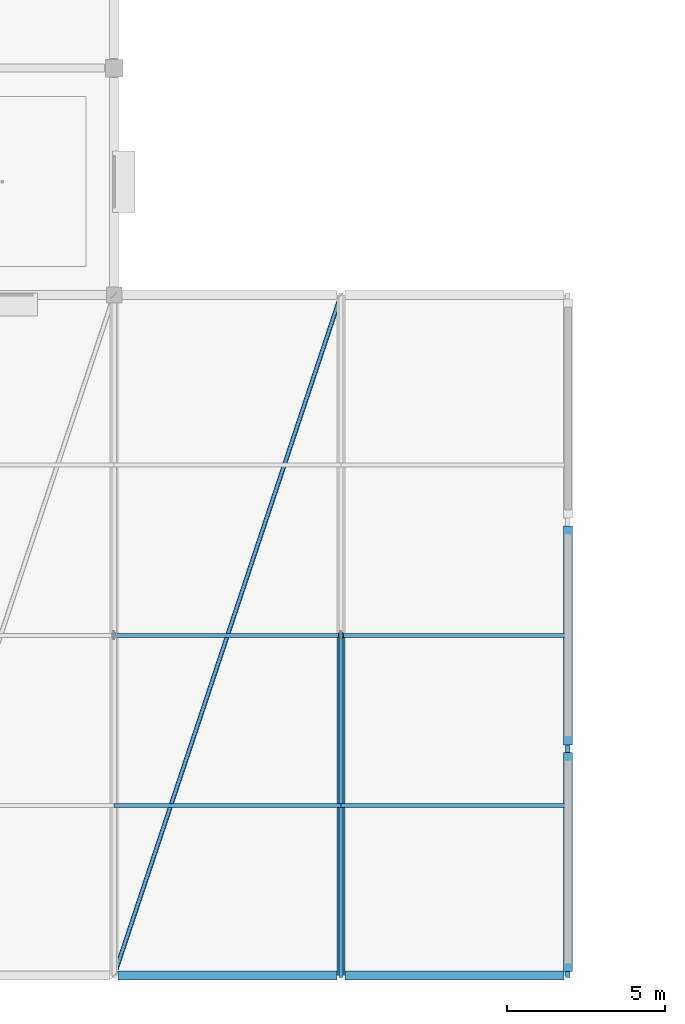
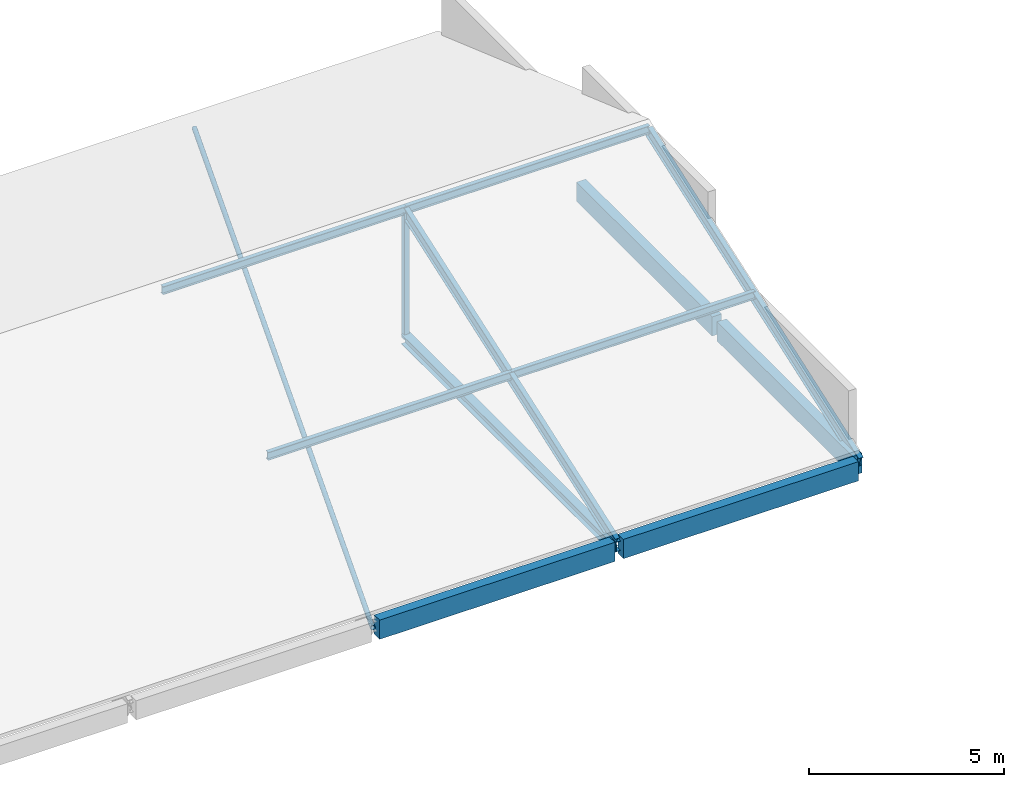
# One storey, part 4 of 108: 9 members, 4 beams.
"""IFC4 building model written with IfcOpenShell, lengths in metres."""

from ifc_helpers import new_model, si_unit, direction, frame, origin, origin_2d, place, context, subcontext, project, spatial, rectangle, hollow_rectangle, hollow_circle, i_section, extrude, material, material_profile, profile_set, type_object, element, save


model = new_model("IFC4")

# Units and contexts
model_context = context("Model", 3, precision=1e-05, world=origin(), true_north=direction((0.0, 1.0)))
body_context = subcontext(model_context, "Body", "Model", "MODEL_VIEW")
ifc_project = project(units=[si_unit("LENGTHUNIT", "METRE"), si_unit("AREAUNIT", "SQUARE_METRE"), si_unit("VOLUMEUNIT", "CUBIC_METRE"), si_unit("PLANEANGLEUNIT", "RADIAN"), si_unit("MASSUNIT", "GRAM", prefix="KILO")], contexts=[model_context])

# Site, building, storey
site_placement = place(None, origin())
site = spatial("IfcSite", under=ifc_project, at=site_placement, CompositionType="ELEMENT")
building_placement = place(site_placement, origin())
building = spatial("IfcBuilding", under=site, at=building_placement, Name="Kangsadwip Square Police Headquarters", CompositionType="ELEMENT")
storey_placement = place(building_placement, frame((0.0, 0.0, 9.449951171875)))
storey = spatial("IfcBuildingStorey", under=building, at=storey_placement, Name="L02", CompositionType="ELEMENT", Elevation=9.449951171875)

# Members
ifc_material_1 = material(Name="Structural steel IS 2062 E350 (Grade 350, 350 MPa)", Category="steel")
ifc_material_profile_1 = material_profile(ifc_material_1, i_section(OverallWidth=0.139892578125, OverallDepth=0.35009765625, WebThickness=0.008056640625, FlangeThickness=0.01416015625, at=origin_2d()), Name="ISMB 350")
ifc_profile_set_1 = profile_set([ifc_material_profile_1], Name="Structural steel IS 2062 E350 (Grade 350, 350 MPa)")
member_type_1 = type_object("IfcMemberType", Name="PavilionRafterIsmb350", PredefinedType="RAFTER", material=ifc_profile_set_1)
for number, where, z_axis, x_axis, name in (
    (1, (21.60009765625, 0.0, -0.3798828125), (0.0, 0.943311525379, 0.331908671305), (-1.0, 0.0, 0.0), "Truss Member MEM-L02-0252"),
    (2, (28.800048828125, 0.0, -0.3798828125), (0.0, 0.943311525379, 0.331908671305), (-1.0, 0.0, 0.0), "Truss Member MEM-L02-0254"),
):
    element("IfcMember", number, at=place(storey_placement, frame(where, z_axis=z_axis, x_axis=x_axis)), inside=storey, type_object=member_type_1, Name=name, PredefinedType="RAFTER", context=body_context, shape_type="SweptSolid", body=[
        extrude(i_section(OverallWidth=0.139892578125, OverallDepth=0.35009765625, WebThickness=0.008056640625, FlangeThickness=0.01416015625, at=origin_2d()), origin(), (0.0, 0.0, 1.0), 11.448974609375),
    ])

# Beams
ifc_material_2 = material(Name="Concrete M40 (40 MPa)", Category="concrete")
ifc_material_profile_2 = material_profile(ifc_material_2, rectangle(XDim=0.280029296875, YDim=0.60009765625, at=origin_2d()), Name="RC SPN 600X280")
ifc_profile_set_2 = profile_set([ifc_material_profile_2], Name="Concrete M40 (40 MPa)")
beam_type = type_object("IfcBeamType", Name="RcSpandrel600x280", PredefinedType="SPANDREL", material=ifc_profile_set_2)
beam_placement = place(storey_placement, frame((14.52490234375, 0.0, -0.5400390625), z_axis=(1.0, 0.0, 0.0), x_axis=(0.0, 1.0, 0.0)))
element("IfcBeam", 3, at=beam_placement, inside=storey, type_object=beam_type, Name="Beam BM-L02-X-02-00", PredefinedType="SPANDREL", context=body_context, shape_type="SweptSolid", body=[
    extrude(rectangle(XDim=0.280029296875, YDim=0.60009765625, at=origin_2d()), origin(), (0.0, 0.0, 1.0), 6.9501953125),
])
for number, where, z_axis, x_axis, name in (
    (4, (21.72509765625, 0.0, -0.5400390625), (1.0, 0.0, 0.0), (0.0, 1.0, 0.0), "Beam BM-L02-X-03-00"),
    (5, (28.800048828125, 0.125, -0.5400390625), (0.0, 1.0, 0.0), (-1.0, 0.0, 0.0), "Beam BM-L02-Y-04-00"),
    (6, (28.800048828125, 7.324951171875, -0.5400390625), (0.0, 1.0, 0.0), (-1.0, 0.0, 0.0), "Beam BM-L02-Y-04-01"),
):
    element("IfcBeam", number, at=place(storey_placement, frame(where, z_axis=z_axis, x_axis=x_axis)), inside=storey, type_object=beam_type, Name=name, PredefinedType="SPANDREL", context=body_context, shape_type="SweptSolid", body=[
        extrude(rectangle(XDim=0.280029296875, YDim=0.60009765625, at=origin_2d()), origin(), (0.0, 0.0, 1.0), 6.949951171875),
    ])

# Members
ifc_material_3 = material(Name="Structural steel IS 2062 E350 (Grade 350, 350 MPa)", Category="steel")
ifc_material_profile_3 = material_profile(ifc_material_3, i_section(OverallWidth=0.125, OverallDepth=0.25, WebThickness=0.0068359375, FlangeThickness=0.012451171875, at=origin_2d()), Name="ISMB 250")
ifc_profile_set_3 = profile_set([ifc_material_profile_3], Name="Structural steel IS 2062 E350 (Grade 350, 350 MPa)")
member_type_2 = type_object("IfcMemberType", Name="RoofPurlinIsmb250", PredefinedType="PURLIN", material=ifc_profile_set_3)
for number, where, z_axis, x_axis, name in (
    (7, (14.39990234375, 5.39990234375, 1.594970703125), (1.0, 0.0, 0.0), (0.0, 1.0, 0.0), "Truss Member MEM-L02-0263"),
    (8, (14.39990234375, 10.800048828125, 3.4951171875), (1.0, 0.0, 0.0), (0.0, 1.0, 0.0), "Truss Member MEM-L02-0264"),
):
    element("IfcMember", number, at=place(storey_placement, frame(where, z_axis=z_axis, x_axis=x_axis)), inside=storey, type_object=member_type_2, Name=name, PredefinedType="PURLIN", context=body_context, shape_type="SweptSolid", body=[
        extrude(i_section(OverallWidth=0.125, OverallDepth=0.25, WebThickness=0.0068359375, FlangeThickness=0.012451171875, at=origin_2d()), origin(), (0.0, 0.0, 1.0), 7.2001953125),
    ])
for number, where, z_axis, x_axis, name in (
    (9, (21.60009765625, 5.39990234375, 1.594970703125), (1.0, 0.0, 0.0), (0.0, 1.0, 0.0), "Truss Member MEM-L02-0267"),
    (10, (21.60009765625, 10.800048828125, 3.4951171875), (1.0, 0.0, 0.0), (0.0, 1.0, 0.0), "Truss Member MEM-L02-0268"),
):
    element("IfcMember", number, at=place(storey_placement, frame(where, z_axis=z_axis, x_axis=x_axis)), inside=storey, type_object=member_type_2, Name=name, PredefinedType="PURLIN", context=body_context, shape_type="SweptSolid", body=[
        extrude(i_section(OverallWidth=0.125, OverallDepth=0.25, WebThickness=0.0068359375, FlangeThickness=0.012451171875, at=origin_2d()), origin(), (0.0, 0.0, 1.0), 7.199951171875),
    ])
ifc_material_4 = material(Name="Structural steel IS 2062 E350 (Grade 350, 350 MPa)", Category="steel")
ifc_material_profile_4 = material_profile(ifc_material_4, hollow_circle(Radius=0.070068359375, WallThickness=0.006103515625, at=origin_2d()), Name="CHS 140X6")
ifc_profile_set_4 = profile_set([ifc_material_profile_4], Name="Structural steel IS 2062 E350 (Grade 350, 350 MPa)")
member_type_3 = type_object("IfcMemberType", Name="RoofWindBraceChs140", PredefinedType="BRACE", material=ifc_profile_set_4)
member_1_placement = place(storey_placement, frame((14.39990234375, 0.0, -0.52001953125), z_axis=(0.316234199636, 0.948681153486, 0.0), x_axis=(-0.948681153486, 0.316234199636, 0.0)))
element("IfcMember", 11, at=member_1_placement, inside=storey, type_object=member_type_3, Name="Truss Member MEM-L02-0266", PredefinedType="BRACE", context=body_context, shape_type="SweptSolid", body=[
    extrude(hollow_circle(Radius=0.070068359375, WallThickness=0.006103515625, at=origin_2d()), origin(), (0.0, 0.0, 1.0), 22.7685546875),
])
ifc_material_5 = material(Name="Structural steel IS 2062 E350 (Grade 350, 350 MPa)", Category="steel")
ifc_material_profile_5 = material_profile(ifc_material_5, i_section(OverallWidth=0.25, OverallDepth=0.300048828125, WebThickness=0.009521484375, FlangeThickness=0.010498046875, at=origin_2d()), Name="ISHB 300")
ifc_profile_set_5 = profile_set([ifc_material_profile_5], Name="Structural steel IS 2062 E350 (Grade 350, 350 MPa)")
member_type_4 = type_object("IfcMemberType", Name="TrussBotChordIshb300", PredefinedType="CHORD", material=ifc_profile_set_5)
member_2_placement = place(storey_placement, frame((21.60009765625, 0.0, -0.52001953125), z_axis=(0.0, 1.0, 0.0), x_axis=(-1.0, 0.0, 0.0)))
element("IfcMember", 12, at=member_2_placement, inside=storey, type_object=member_type_4, Name="Truss Member MEM-L02-0249", PredefinedType="CHORD", context=body_context, shape_type="SweptSolid", body=[
    extrude(i_section(OverallWidth=0.25, OverallDepth=0.300048828125, WebThickness=0.009521484375, FlangeThickness=0.010498046875, at=origin_2d()), origin(), (0.0, 0.0, 1.0), 10.800048828125),
])
ifc_material_6 = material(Name="Structural steel IS 2062 E350 (Grade 350, 350 MPa)", Category="steel")
ifc_material_profile_6 = material_profile(ifc_material_6, hollow_rectangle(XDim=0.14990234375, YDim=0.14990234375, WallThickness=0.008056640625, at=origin_2d()), Name="SHS 150X150X8")
ifc_profile_set_6 = profile_set([ifc_material_profile_6], Name="Structural steel IS 2062 E350 (Grade 350, 350 MPa)")
member_type_5 = type_object("IfcMemberType", Name="TrussPostShs150", PredefinedType="POST", material=ifc_profile_set_6)
member_3_placement = place(storey_placement, frame((21.60009765625, 10.800048828125, -0.52001953125), z_axis=(0.0, 0.0, 1.0), x_axis=(1.0, 0.0, 0.0)))
element("IfcMember", 13, at=member_3_placement, inside=storey, type_object=member_type_5, Name="Truss Member MEM-L02-0251", PredefinedType="POST", context=body_context, shape_type="SweptSolid", body=[
    extrude(hollow_rectangle(XDim=0.14990234375, YDim=0.14990234375, WallThickness=0.008056640625, at=origin_2d()), origin(), (0.0, 0.0, 1.0), 3.940185546875),
])

save(model, "model.ifc")
